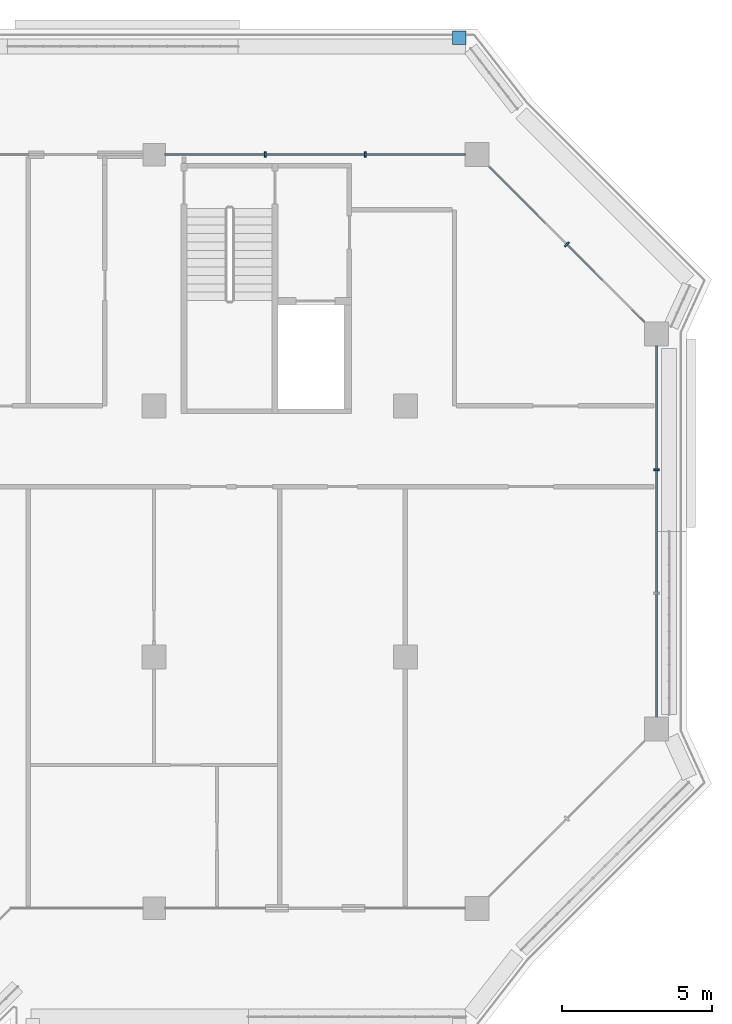
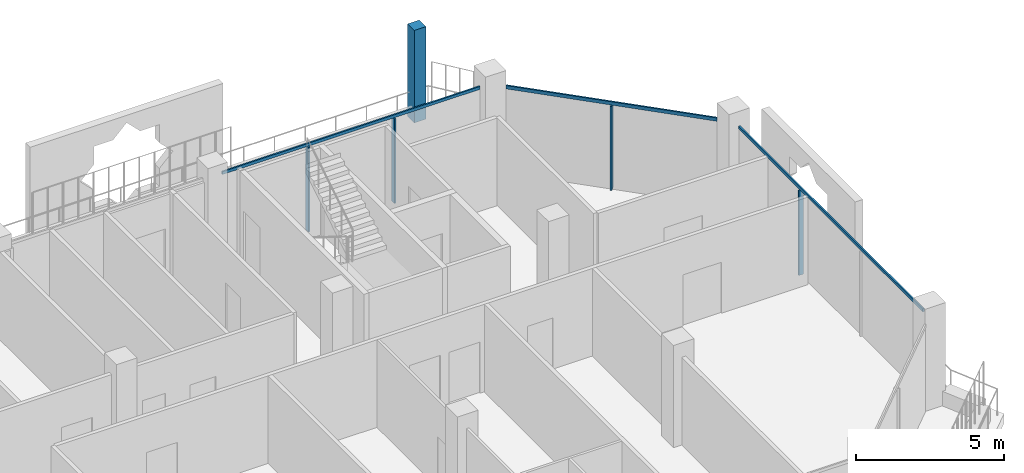
# One storey, part 8 of 21: 8 members, 4 elements without a shape of their own.
"""IFC4 building model written with IfcOpenShell, lengths in metres."""

from ifc_helpers import new_model, si_unit, direction, frame, origin, origin_2d, place, context, subcontext, project, spatial, rectangle, extrude, material, layer, layer_set, material_profile, profile_set, type_object, element, aggregate, save


model = new_model("IFC4")

# Units and contexts
model_context = context("Model", 3, precision=1e-05, world=origin(), true_north=direction((0.0, 1.0)))
body_context = subcontext(model_context, "Body", "Model", "MODEL_VIEW")
ifc_project = project(units=[si_unit("LENGTHUNIT", "METRE"), si_unit("AREAUNIT", "SQUARE_METRE"), si_unit("VOLUMEUNIT", "CUBIC_METRE"), si_unit("PLANEANGLEUNIT", "RADIAN"), si_unit("MASSUNIT", "GRAM", prefix="KILO")], contexts=[model_context])

# Site, building, storey
site_placement = place(None, origin())
site = spatial("IfcSite", under=ifc_project, at=site_placement, CompositionType="ELEMENT")
building_placement = place(site_placement, origin())
building = spatial("IfcBuilding", under=site, at=building_placement, Name="Kawkab Arch Medical Tower", CompositionType="ELEMENT")
storey_placement = place(building_placement, frame((0.0, 0.0, 311.199951171875)))
storey = spatial("IfcBuildingStorey", under=building, at=storey_placement, Name="L72", CompositionType="ELEMENT", Elevation=311.199951171875)

# Curtain wall, member
ifc_material_1 = material(Name="Bronze anodised aluminium curtain wall frame", Category="aluminium")
ifc_layer_1 = layer(ifc_material_1, 0.159912109375)
ifc_layer_set_1 = layer_set([ifc_layer_1], Name="Bronze anodised aluminium curtain wall frame")
curtain_wall_type_1 = type_object("IfcCurtainWallType", Name="CW1 ward curtain wall", PredefinedType="NOTDEFINED", material=ifc_layer_set_1)
placement = place(storey_placement, origin())
curtain_wall_1 = element("IfcCurtainWall", 1, at=placement, inside=storey, type_object=curtain_wall_type_1, Name="CW1 Ward curtain wall R13", PredefinedType="NOTDEFINED")
ifc_material_2 = material(Name="Bronze anodised aluminium curtain wall frame", Category="aluminium")
ifc_material_profile_1 = material_profile(ifc_material_2, rectangle(XDim=0.179931640625, YDim=0.06005859375, at=origin_2d()), Name="AL 60x180")
ifc_profile_set_1 = profile_set([ifc_material_profile_1], Name="Bronze anodised aluminium curtain wall frame")
member_type_1 = type_object("IfcMemberType", Name="CW1 mullion 60 x 180", PredefinedType="MULLION", material=ifc_profile_set_1)
member_1_placement = place(storey_placement, frame((58.800048828125, -10.533447265625, 0.0), z_axis=(0.0, 0.0, 1.0), x_axis=(-1.0, 0.0, 0.0)))
member_1 = element("IfcMember", 2, at=member_1_placement, type_object=member_type_1, Name="CW1 mullion 1.2", PredefinedType="MULLION", context=body_context, shape_type="SweptSolid", body=[
    extrude(rectangle(XDim=0.179931640625, YDim=0.06005859375, at=origin_2d()), origin(), (0.0, 0.0, 1.0), 3.47998046875),
])

# Curtain wall, members
curtain_wall_2 = element("IfcCurtainWall", 3, at=placement, inside=storey, type_object=curtain_wall_type_1, Name="CW1 Ward curtain wall R15", PredefinedType="NOTDEFINED")
member_2_placement = place(storey_placement, frame((49.058349609375, 0.0, 0.0), z_axis=(0.0, 0.0, 1.0), x_axis=(0.0, -1.0, 0.0)))
member_2 = element("IfcMember", 4, at=member_2_placement, type_object=member_type_1, Name="CW1 mullion 1.1", PredefinedType="MULLION", context=body_context, shape_type="SweptSolid", body=[
    extrude(rectangle(XDim=0.179931640625, YDim=0.06005859375, at=origin_2d()), origin(), (0.0, 0.0, 1.0), 3.47998046875),
])
member_3_placement = place(storey_placement, frame((45.716552734375, 0.0, 0.0), z_axis=(0.0, 0.0, 1.0), x_axis=(0.0, -1.0, 0.0)))
member_3 = element("IfcMember", 5, at=member_3_placement, type_object=member_type_1, Name="CW1 mullion 1.2", PredefinedType="MULLION", context=body_context, shape_type="SweptSolid", body=[
    extrude(rectangle(XDim=0.179931640625, YDim=0.06005859375, at=origin_2d()), origin(), (0.0, 0.0, 1.0), 3.47998046875),
])

# Member
ifc_material_3 = material(Name="Bronze anodised aluminium curtain wall frame", Category="aluminium")
ifc_material_profile_2 = material_profile(ifc_material_3, rectangle(XDim=0.06005859375, YDim=0.1201171875, at=origin_2d()), Name="AL 60x120")
ifc_profile_set_2 = profile_set([ifc_material_profile_2], Name="Bronze anodised aluminium curtain wall frame")
member_type_2 = type_object("IfcMemberType", Name="CW1 transom 120 x 60", PredefinedType="USERDEFINED", material=ifc_profile_set_2)
member_4_placement = place(storey_placement, frame((58.800048828125, -18.800048828125, 3.5400390625), z_axis=(0.0, 1.0, 0.0), x_axis=(-1.0, 0.0, 0.0)))
member_4 = element("IfcMember", 6, at=member_4_placement, type_object=member_type_2, Name="CW1 transom 1", ObjectType="TRANSOM", PredefinedType="USERDEFINED", context=body_context, shape_type="SweptSolid", body=[
    extrude(rectangle(XDim=0.06005859375, YDim=0.1201171875, at=origin_2d()), origin(), (0.0, 0.0, 1.0), 12.400146484375),
])

aggregate(curtain_wall_1, [member_4, member_1])

member_5_placement = place(storey_placement, frame((52.39990234375, 0.0, 3.5400390625), z_axis=(-1.0, 0.0, 0.0), x_axis=(0.0, -1.0, 0.0)))
member_5 = element("IfcMember", 7, at=member_5_placement, type_object=member_type_2, Name="CW1 transom 1", ObjectType="TRANSOM", PredefinedType="USERDEFINED", context=body_context, shape_type="SweptSolid", body=[
    extrude(rectangle(XDim=0.06005859375, YDim=0.1201171875, at=origin_2d()), origin(), (0.0, 0.0, 1.0), 10.02490234375),
])

aggregate(curtain_wall_2, [member_5, member_2, member_3])

# Curtain wall, members
ifc_material_4 = material(Name="Bronze anodised aluminium curtain wall frame", Category="aluminium")
ifc_layer_2 = layer(ifc_material_4, 0.159912109375)
ifc_layer_set_2 = layer_set([ifc_layer_2], Name="Bronze anodised aluminium curtain wall frame")
curtain_wall_type_2 = type_object("IfcCurtainWallType", Name="CW2 chamfer curtain wall", PredefinedType="NOTDEFINED", material=ifc_layer_set_2)
curtain_wall_3 = element("IfcCurtainWall", 8, at=placement, inside=storey, type_object=curtain_wall_type_2, Name="CW2 Chamfer curtain wall R14", PredefinedType="NOTDEFINED")
ifc_material_5 = material(Name="Bronze anodised aluminium curtain wall frame", Category="aluminium")
ifc_material_profile_3 = material_profile(ifc_material_5, rectangle(XDim=0.199951171875, YDim=0.06005859375, at=origin_2d()), Name="AL 60x200")
ifc_profile_set_3 = profile_set([ifc_material_profile_3], Name="Bronze anodised aluminium curtain wall frame")
member_type_3 = type_object("IfcMemberType", Name="CW2 mullion 60 x 200", PredefinedType="MULLION", material=ifc_profile_set_3)
member_6_placement = place(storey_placement, frame((55.800048828125, -3.0, 0.0), z_axis=(0.0, 0.0, 1.0), x_axis=(-0.707106781187, -0.707106781187, 0.0)))
member_6 = element("IfcMember", 9, at=member_6_placement, type_object=member_type_3, Name="CW2 mullion 1.1", PredefinedType="MULLION", context=body_context, shape_type="SweptSolid", body=[
    extrude(rectangle(XDim=0.199951171875, YDim=0.06005859375, at=origin_2d()), origin(), (0.0, 0.0, 1.0), 3.4599609375),
])
ifc_material_6 = material(Name="Bronze anodised aluminium curtain wall frame", Category="aluminium")
ifc_material_profile_4 = material_profile(ifc_material_6, rectangle(XDim=0.06005859375, YDim=0.139892578125, at=origin_2d()), Name="AL 60x140")
ifc_profile_set_4 = profile_set([ifc_material_profile_4], Name="Bronze anodised aluminium curtain wall frame")
member_type_4 = type_object("IfcMemberType", Name="CW2 transom 140 x 60", PredefinedType="USERDEFINED", material=ifc_profile_set_4)
member_7_placement = place(storey_placement, frame((58.39990234375, -5.60009765625, 3.530029296875), z_axis=(-0.707090181851, 0.707123380132, 0.0), x_axis=(-0.707123380132, -0.707090181851, 0.0)))
member_7 = element("IfcMember", 10, at=member_7_placement, type_object=member_type_4, Name="CW2 transom 1", ObjectType="TRANSOM", PredefinedType="USERDEFINED", context=body_context, shape_type="SweptSolid", body=[
    extrude(rectangle(XDim=0.06005859375, YDim=0.139892578125, at=origin_2d()), origin(), (0.0, 0.0, 1.0), 7.35400390625),
])
aggregate(curtain_wall_3, [member_7, member_6])

# Curtain wall, member
ifc_material_7 = material(Name="Bronze anodised aluminium climber frame, planted", Category="aluminium")
ifc_layer_3 = layer(ifc_material_7, 0.449951171875)
ifc_layer_set_3 = layer_set([ifc_layer_3], Name="Bronze anodised aluminium climber frame, planted")
curtain_wall_type_3 = type_object("IfcCurtainWallType", Name="Planted climber frame", PredefinedType="NOTDEFINED", material=ifc_layer_set_3)
curtain_wall_4 = element("IfcCurtainWall", 11, at=placement, inside=storey, type_object=curtain_wall_type_3, Name="Planted climber frame L72", PredefinedType="NOTDEFINED")
ifc_material_8 = material(Name="Bronze anodised aluminium climber frame, planted", Category="aluminium")
ifc_material_profile_5 = material_profile(ifc_material_8, rectangle(XDim=0.449951171875, YDim=0.449951171875, at=origin_2d()), Name="Post 450x450")
ifc_profile_set_5 = profile_set([ifc_material_profile_5], Name="Bronze anodised aluminium climber frame, planted")
member_type_5 = type_object("IfcMemberType", Name="Planted climber post 450 x 450", PredefinedType="MULLION", material=ifc_profile_set_5)
member_8_placement = place(storey_placement, frame((52.202880859375, 3.89990234375, 0.0), z_axis=(0.0, 0.0, 1.0), x_axis=(1.0, 0.0, 0.0)))
member_8 = element("IfcMember", 12, at=member_8_placement, type_object=member_type_5, Name="Planted climber post L72.LOG-01-01.4", PredefinedType="MULLION", context=body_context, shape_type="SweptSolid", body=[
    extrude(rectangle(XDim=0.449951171875, YDim=0.449951171875, at=origin_2d()), origin(), (0.0, 0.0, 1.0), 3.800048828125),
])
aggregate(curtain_wall_4, [member_8])

save(model, "model.ifc")
